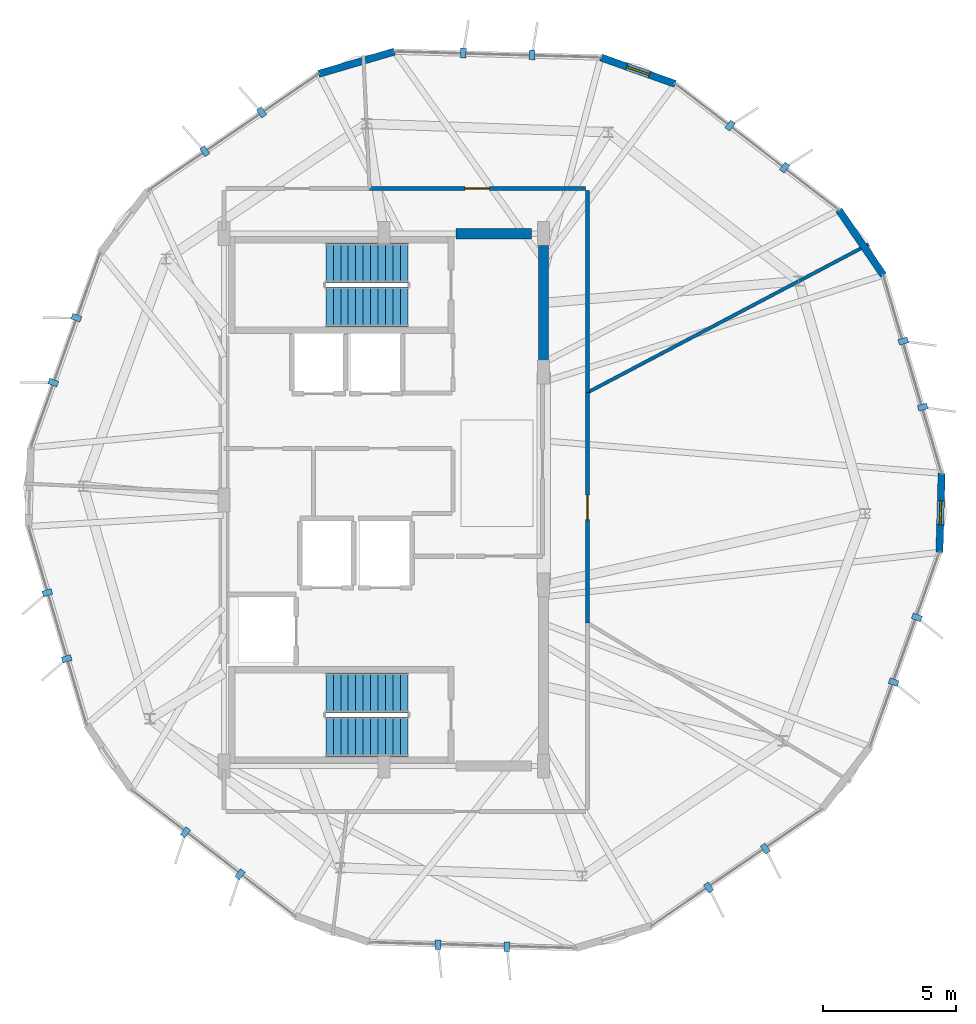
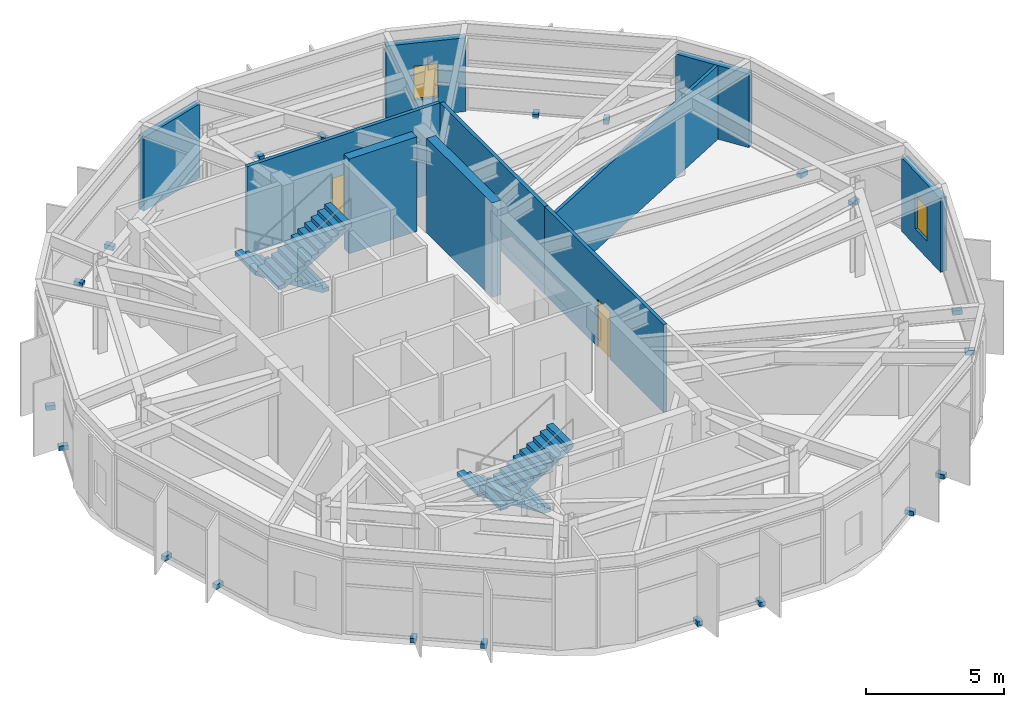
# One storey, part 17 of 20: 20 discrete accessories, 10 walls, 4 stair flights, 2 doors, 2 windows, 4 openings, 2 elements without a shape of their own.
"""IFC4 building model written with IfcOpenShell, lengths in metres."""

from ifc_helpers import new_model, si_unit, direction, frame, frame_2d, origin, origin_2d, place, context, subcontext, project, spatial, polyline, rectangle, outline, extrude, material, layer, layer_set, type_object, element, fill, aggregate, save


model = new_model("IFC4")

# Units and contexts
model_context = context("Model", 3, precision=1e-05, world=origin(), true_north=direction((0.0, 1.0)))
body_context = subcontext(model_context, "Body", "Model", "MODEL_VIEW")
ifc_project = project(units=[si_unit("LENGTHUNIT", "METRE"), si_unit("AREAUNIT", "SQUARE_METRE"), si_unit("VOLUMEUNIT", "CUBIC_METRE"), si_unit("PLANEANGLEUNIT", "RADIAN"), si_unit("MASSUNIT", "GRAM", prefix="KILO")], contexts=[model_context])

# Site, building, storey
site_placement = place(None, origin())
site = spatial("IfcSite", under=ifc_project, at=site_placement, CompositionType="ELEMENT")
building_placement = place(site_placement, origin())
building = spatial("IfcBuilding", under=site, at=building_placement, Name="Soratama Intermodal Tower", CompositionType="ELEMENT")
storey_placement = place(building_placement, frame((0.0, 0.0, 293.050048828125)))
storey = spatial("IfcBuildingStorey", under=building, at=storey_placement, Name="L74", CompositionType="ELEMENT", Elevation=293.050048828125)

# Wall
ifc_material_1 = material(Name="Concrete f'c 42 MPa", Category="concrete")
ifc_layer_1 = layer(ifc_material_1, 0.27001953125)
ifc_layer_set_1 = layer_set([ifc_layer_1], Name="Concrete f'c 42 MPa")
wall_type_1 = type_object("IfcWallType", Name="EW-CRN-270", PredefinedType="SOLIDWALL", material=ifc_layer_set_1)
wall_1_placement = place(storey_placement, frame((38.99560546875, 41.841552734375, 0.0), z_axis=(0.0, 0.0, 1.0), x_axis=(-0.959406115423, -0.282028200168, 0.0)))
element("IfcWall", 1, at=wall_1_placement, inside=storey, type_object=wall_type_1, Name="L74 Corner Closure Wall 01", PredefinedType="SOLIDWALL", context=body_context, shape_type="SweptSolid", body=[
    extrude(rectangle(XDim=2.966552734375, YDim=0.27001953125, at=frame_2d((1.4833984375, 0.0))), origin(), (0.0, 0.0, 1.0), 3.27392578125),
])

# Wall, opening, window
wall_2_placement = place(storey_placement, frame((59.46923828125, 23.033447265625, 0.0), z_axis=(0.0, 0.0, 1.0), x_axis=(0.028228496076, 0.999601496602, 0.0)))
wall_2 = element("IfcWall", 2, at=wall_2_placement, inside=storey, type_object=wall_type_1, Name="L74 Corner Closure Wall 08", PredefinedType="SOLIDWALL", context=body_context, shape_type="SweptSolid", body=[
    extrude(rectangle(XDim=2.966552734375, YDim=0.27001953125, at=frame_2d((1.4833984375, 0.0))), origin(), (0.0, 0.0, 1.0), 3.27392578125),
])
opening_1_placement = place(wall_2_placement, frame((1.033203125, 0.0, 0.75)))
opening_1 = element("IfcOpeningElement", 3, at=opening_1_placement, cuts=wall_2, Name="Opening WN-6", PredefinedType="OPENING", context=body_context, shape_type="SweptSolid", body=[
    extrude(rectangle(XDim=0.89990234375, YDim=1.5, at=frame_2d((0.449951171875, 0.75))), frame((0.0, 0.14501953125, 0.0), z_axis=(0.0, -1.0, 0.0), x_axis=(1.0, 0.0, 0.0)), (0.0, 0.0, 1.0), 0.2900390625),
])
ifc_material_2 = material(Name="Double-glazed aluminium window", Category="aluminium")
window_type = type_object("IfcWindowType", Name="WN-FAC-900", PartitioningType="SINGLE_PANEL", PredefinedType="WINDOW", material=ifc_material_2)
window_1_placement = place(opening_1_placement, origin())
window_1 = element("IfcWindow", 4, at=window_1_placement, inside=storey, type_object=window_type, Name="L74 Corner Window 08", OverallHeight=1.5, OverallWidth=0.89990234375, PartitioningType="SINGLE_PANEL", PredefinedType="WINDOW", context=body_context, shape_type="SweptSolid", body=[
    extrude(rectangle(XDim=0.89990234375, YDim=1.5, at=frame_2d((0.449951171875, 0.75))), frame((0.0, 0.030029296875, 0.0), z_axis=(0.0, -1.0, 0.0), x_axis=(1.0, 0.0, 0.0)), (0.0, 0.0, 1.0), 0.06005859375),
])
fill(opening_1, window_1)

# Wall
wall_3_placement = place(storey_placement, frame((57.365234375, 33.44189453125, 0.0), z_axis=(0.0, 0.0, 1.0), x_axis=(-0.564630810404, 0.82534359387, 0.0)))
element("IfcWall", 5, at=wall_3_placement, inside=storey, type_object=wall_type_1, Name="L74 Corner Closure Wall 09", PredefinedType="SOLIDWALL", context=body_context, shape_type="SweptSolid", body=[
    extrude(rectangle(XDim=2.966552734375, YDim=0.27001953125, at=frame_2d((1.4833984375, 0.0))), origin(), (0.0, 0.0, 1.0), 3.27392578125),
])

# Wall, opening, window
wall_4_placement = place(storey_placement, frame((49.545166015625, 40.626220703125, 0.0), z_axis=(0.0, 0.0, 1.0), x_axis=(-0.941946543117, 0.335762877505, 0.0)))
wall_4 = element("IfcWall", 6, at=wall_4_placement, inside=storey, type_object=wall_type_1, Name="L74 Corner Closure Wall 10", PredefinedType="SOLIDWALL", context=body_context, shape_type="SweptSolid", body=[
    extrude(rectangle(XDim=2.966552734375, YDim=0.27001953125, at=frame_2d((1.4833984375, 0.0))), origin(), (0.0, 0.0, 1.0), 3.27392578125),
])
opening_2_placement = place(wall_4_placement, frame((1.033203125, 0.0, 0.75)))
opening_2 = element("IfcOpeningElement", 7, at=opening_2_placement, cuts=wall_4, Name="Opening WN-6", PredefinedType="OPENING", context=body_context, shape_type="SweptSolid", body=[
    extrude(rectangle(XDim=0.89990234375, YDim=1.5, at=frame_2d((0.449951171875, 0.75))), frame((0.0, 0.14501953125, 0.0), z_axis=(0.0, -1.0, 0.0), x_axis=(1.0, 0.0, 0.0)), (0.0, 0.0, 1.0), 0.2900390625),
])
window_2_placement = place(opening_2_placement, origin())
window_2 = element("IfcWindow", 8, at=window_2_placement, inside=storey, type_object=window_type, Name="L74 Corner Window 10", OverallHeight=1.5, OverallWidth=0.89990234375, PartitioningType="SINGLE_PANEL", PredefinedType="WINDOW", context=body_context, shape_type="SweptSolid", body=[
    extrude(rectangle(XDim=0.89990234375, YDim=1.5, at=frame_2d((0.449951171875, 0.75))), frame((0.0, 0.030029296875, 0.0), z_axis=(0.0, -1.0, 0.0), x_axis=(1.0, 0.0, 0.0)), (0.0, 0.0, 1.0), 0.06005859375),
])
fill(opening_2, window_2)

# Wall, opening, door
ifc_material_3 = material(Name="Fire-rated gypsum stud partition", Category="concrete")
ifc_layer_2 = layer(ifc_material_3, 0.14990234375)
ifc_layer_set_2 = layer_set([ifc_layer_2], Name="Fire-rated gypsum stud partition")
wall_type_2 = type_object("IfcWallType", Name="IW-PART-R150", PredefinedType="PARTITIONING", material=ifc_layer_set_2)
wall_5_placement = place(storey_placement, frame((46.25, 29.034912109375, 0.0), z_axis=(0.0, 0.0, 1.0), x_axis=(0.0, -1.0, 0.0)))
wall_5 = element("IfcWall", 9, at=wall_5_placement, inside=storey, type_object=wall_type_2, Name="L74 Partition W-L74-TP004", PredefinedType="PARTITIONING", context=body_context, shape_type="SweptSolid", body=[
    extrude(rectangle(XDim=8.656005859375, YDim=0.14990234375, at=frame_2d((4.328125, 0.0))), origin(), (0.0, 0.0, 1.0), 3.89501953125),
])
opening_3_placement = place(wall_5_placement, frame((3.85302734375, 0.0, 0.0)))
opening_3 = element("IfcOpeningElement", 10, at=opening_3_placement, cuts=wall_5, Name="Opening ID-6", PredefinedType="OPENING", context=body_context, shape_type="SweptSolid", body=[
    extrude(rectangle(XDim=0.919921875, YDim=2.1201171875, at=frame_2d((0.4599609375, 1.06005859375))), frame((0.0, 0.0849609375, 0.0), z_axis=(0.0, -1.0, 0.0), x_axis=(1.0, 0.0, 0.0)), (0.0, 0.0, 1.0), 0.169921875),
])
ifc_material_4 = material(Name="Solid hardwood acoustic door", Category="wood")
door_type = type_object("IfcDoorType", Name="DR-ROOM-920", OperationType="NOTDEFINED", PredefinedType="DOOR", material=ifc_material_4)
door_1_placement = place(opening_3_placement, origin())
door_1 = element("IfcDoor", 11, at=door_1_placement, inside=storey, type_object=door_type, Name="L74 Door D-L74-TP002", OperationType="SINGLE_SWING_LEFT", OverallHeight=2.1201171875, OverallWidth=0.919921875, PredefinedType="DOOR", context=body_context, shape_type="SweptSolid", body=[
    extrude(rectangle(XDim=0.919921875, YDim=2.1201171875, at=frame_2d((0.4599609375, 1.06005859375))), frame((0.0, 0.02490234375, 0.0), z_axis=(0.0, -1.0, 0.0), x_axis=(1.0, 0.0, 0.0)), (0.0, 0.0, 1.0), 0.050048828125),
])
fill(opening_3, door_1)

wall_6_placement = place(storey_placement, frame((38.06005859375, 36.699951171875, 0.0), z_axis=(0.0, 0.0, 1.0), x_axis=(1.0, 0.0, 0.0)))
wall_6 = element("IfcWall", 12, at=wall_6_placement, inside=storey, type_object=wall_type_2, Name="L74 Partition W-L74-TP005", PredefinedType="PARTITIONING", context=body_context, shape_type="SweptSolid", body=[
    extrude(rectangle(XDim=8.119873046875, YDim=0.14990234375, at=frame_2d((4.06005859375, 0.0))), origin(), (0.0, 0.0, 1.0), 3.89501953125),
])
opening_4_placement = place(wall_6_placement, frame((3.5849609375, 0.0, 0.0)))
opening_4 = element("IfcOpeningElement", 13, at=opening_4_placement, cuts=wall_6, Name="Opening ID-6", PredefinedType="OPENING", context=body_context, shape_type="SweptSolid", body=[
    extrude(rectangle(XDim=0.919921875, YDim=2.1201171875, at=frame_2d((0.4599609375, 1.06005859375))), frame((0.0, 0.0849609375, 0.0), z_axis=(0.0, -1.0, 0.0), x_axis=(1.0, 0.0, 0.0)), (0.0, 0.0, 1.0), 0.169921875),
])
door_2_placement = place(opening_4_placement, origin())
door_2 = element("IfcDoor", 14, at=door_2_placement, inside=storey, type_object=door_type, Name="L74 Door D-L74-TP003", OperationType="SINGLE_SWING_RIGHT", OverallHeight=2.1201171875, OverallWidth=0.919921875, PredefinedType="DOOR", context=body_context, shape_type="SweptSolid", body=[
    extrude(rectangle(XDim=0.919921875, YDim=2.1201171875, at=frame_2d((0.4599609375, 1.06005859375))), frame((0.0, 0.02490234375, 0.0), z_axis=(0.0, -1.0, 0.0), x_axis=(1.0, 0.0, 0.0)), (0.0, 0.0, 1.0), 0.050048828125),
])
fill(opening_4, door_2)

# Walls
wall_7_placement = place(storey_placement, frame((46.25, 36.6298828125, 0.0), z_axis=(0.0, 0.0, 1.0), x_axis=(0.0, -1.0, 0.0)))
element("IfcWall", 15, at=wall_7_placement, inside=storey, type_object=wall_type_2, Name="L74 Partition W-L74-TP006", PredefinedType="PARTITIONING", context=body_context, shape_type="SweptSolid", body=[
    extrude(rectangle(XDim=7.594970703125, YDim=0.14990234375, at=frame_2d((3.79736328125, 0.0))), origin(), (0.0, 0.0, 1.0), 3.89501953125),
])
ifc_material_5 = material(Name="Fire-rated gypsum stud partition", Category="concrete")
ifc_layer_3 = layer(ifc_material_5, 0.1298828125)
ifc_layer_set_3 = layer_set([ifc_layer_3], Name="Fire-rated gypsum stud partition")
wall_type_3 = type_object("IfcWallType", Name="IW-PART-S130", PredefinedType="PARTITIONING", material=ifc_layer_set_3)
wall_8_placement = place(storey_placement, frame((56.81396484375, 34.60498046875, 0.0), z_axis=(0.0, 0.0, 1.0), x_axis=(-0.88456986723, -0.4664077079, 0.0)))
element("IfcWall", 16, at=wall_8_placement, inside=storey, type_object=wall_type_3, Name="L74 Partition W-L74-TP001", PredefinedType="PARTITIONING", context=body_context, shape_type="SweptSolid", body=[
    extrude(rectangle(XDim=11.9423828125, YDim=0.1298828125, at=frame_2d((5.97119140625, 0.0))), origin(), (0.0, 0.0, 1.0), 3.27294921875),
])
ifc_material_6 = material(Name="Concrete f'c 56 MPa", Category="concrete")
ifc_layer_4 = layer(ifc_material_6, 0.3798828125)
ifc_layer_set_4 = layer_set([ifc_layer_4], Name="Concrete f'c 56 MPa")
wall_type_4 = type_object("IfcWallType", Name="SW-CORE-380", PredefinedType="SHEAR", material=ifc_layer_set_4)
wall_9_placement = place(storey_placement, frame((41.300048828125, 35.0, 0.0), z_axis=(0.0, 0.0, 1.0), x_axis=(1.0, 0.0, 0.0)))
element("IfcWall", 17, at=wall_9_placement, inside=storey, type_object=wall_type_4, Name="L74 Core Shear Wall CW-NE", PredefinedType="SHEAR", context=body_context, shape_type="SweptSolid", body=[
    extrude(rectangle(XDim=2.849853515625, YDim=0.3798828125, at=frame_2d((1.4248046875, 0.0))), origin(), (0.0, 0.0, 1.0), 4.199951171875),
])
wall_10_placement = place(storey_placement, frame((44.60009765625, 29.800048828125, 0.0), z_axis=(0.0, 0.0, 1.0), x_axis=(0.0, 1.0, 0.0)))
element("IfcWall", 18, at=wall_10_placement, inside=storey, type_object=wall_type_4, Name="L74 Core Shear Wall CW-EN", PredefinedType="SHEAR", context=body_context, shape_type="SweptSolid", body=[
    extrude(rectangle(XDim=4.75, YDim=0.3798828125, at=frame_2d((2.375, 0.0))), origin(), (0.0, 0.0, 1.0), 4.199951171875),
])

# Stair, stair flights
ifc_material_7 = material(Name="Concrete f'c 42 MPa", Category="concrete")
stair_type = type_object("IfcStairType", Name="ST-CORE-DOGLEG", PredefinedType="HALF_TURN_STAIR", material=ifc_material_7)
stair_1_placement = place(storey_placement, origin())
stair_1 = element("IfcStair", 19, at=stair_1_placement, inside=storey, type_object=stair_type, Name="L74 ST-1", PredefinedType="HALF_TURN_STAIR")
ifc_material_8 = material(Name="Precast concrete f'c 40 MPa", Category="concrete")
ifc_layer_5 = layer(ifc_material_8, 0.199951171875)
ifc_layer_set_5 = layer_set([ifc_layer_5], Name="Precast concrete f'c 40 MPa")
stair_flight_type = type_object("IfcStairFlightType", Name="SF-FLIGHT-RC", PredefinedType="STRAIGHT", material=ifc_layer_set_5)
stair_flight_1_placement = place(storey_placement, frame((39.5, 17.75, 0.0), z_axis=(0.0, 0.0, 1.0), x_axis=(-1.0, 0.0, 0.0)))
stair_flight_1 = element("IfcStairFlight", 20, at=stair_flight_1_placement, type_object=stair_flight_type, Name="ST-1 flight 1", NumberOfRisers=12, NumberOfTreads=11, PredefinedType="STRAIGHT", RiserHeight=0.175, TreadLength=0.28, context=body_context, shape_type="SweptSolid", body=[
    extrude(outline(polyline([(0.0, 0.0), (0.0, 0.175048828125), (0.280029296875, 0.175048828125), (0.280029296875, 0.35009765625), (0.56005859375, 0.35009765625), (0.56005859375, 0.52490234375), (0.840087890625, 0.52490234375), (0.840087890625, 0.699951171875), (1.1201171875, 0.699951171875), (1.1201171875, 0.875), (1.39990234375, 0.875), (1.39990234375, 1.050048828125), (1.679931640625, 1.050048828125), (1.679931640625, 1.22509765625), (1.9599609375, 1.22509765625), (1.9599609375, 1.39990234375), (2.239990234375, 1.39990234375), (2.239990234375, 1.574951171875), (2.52001953125, 1.574951171875), (2.52001953125, 1.75), (2.800048828125, 1.75), (2.800048828125, 1.925048828125), (3.080078125, 1.925048828125), (3.080078125, 2.10009765625), (3.080078125, 1.748291015625), (0.28271484375, 0.0), (0.0, 0.0)])), frame((0.0, 0.75, 0.0), z_axis=(0.0, -1.0, 0.0), x_axis=(1.0, 0.0, 0.0)), (0.0, 0.0, 1.0), 1.5),
])
stair_flight_2_placement = place(storey_placement, frame((36.419921875, 16.10009765625, 2.099853515625), z_axis=(0.0, 0.0, 1.0), x_axis=(1.0, 0.0, 0.0)))
stair_flight_2 = element("IfcStairFlight", 21, at=stair_flight_2_placement, type_object=stair_flight_type, Name="ST-1 flight 2", NumberOfRisers=12, NumberOfTreads=11, PredefinedType="STRAIGHT", RiserHeight=0.175, TreadLength=0.28, context=body_context, shape_type="SweptSolid", body=[
    extrude(outline(polyline([(0.0, 0.0), (0.0, 0.175048828125), (0.280029296875, 0.175048828125), (0.280029296875, 0.35009765625), (0.56005859375, 0.35009765625), (0.56005859375, 0.52490234375), (0.840087890625, 0.52490234375), (0.840087890625, 0.699951171875), (1.1201171875, 0.699951171875), (1.1201171875, 0.875), (1.39990234375, 0.875), (1.39990234375, 1.050048828125), (1.679931640625, 1.050048828125), (1.679931640625, 1.22509765625), (1.9599609375, 1.22509765625), (1.9599609375, 1.39990234375), (2.239990234375, 1.39990234375), (2.239990234375, 1.574951171875), (2.52001953125, 1.574951171875), (2.52001953125, 1.75), (2.800048828125, 1.75), (2.800048828125, 1.925048828125), (3.080078125, 1.925048828125), (3.080078125, 2.10009765625), (3.080078125, 1.748291015625), (0.28271484375, 0.0), (0.0, 0.0)])), frame((0.0, 0.75, 0.0), z_axis=(0.0, -1.0, 0.0), x_axis=(1.0, 0.0, 0.0)), (0.0, 0.0, 1.0), 1.5),
])
aggregate(stair_1, [stair_flight_1, stair_flight_2])

stair_2_placement = place(storey_placement, origin())
stair_2 = element("IfcStair", 22, at=stair_2_placement, inside=storey, type_object=stair_type, Name="L74 ST-2", PredefinedType="HALF_TURN_STAIR")
stair_flight_3_placement = place(storey_placement, frame((39.5, 33.89990234375, 0.0), z_axis=(0.0, 0.0, 1.0), x_axis=(-1.0, 0.0, 0.0)))
stair_flight_3 = element("IfcStairFlight", 23, at=stair_flight_3_placement, type_object=stair_flight_type, Name="ST-2 flight 1", NumberOfRisers=12, NumberOfTreads=11, PredefinedType="STRAIGHT", RiserHeight=0.175, TreadLength=0.28, context=body_context, shape_type="SweptSolid", body=[
    extrude(outline(polyline([(0.0, 0.0), (0.0, 0.175048828125), (0.280029296875, 0.175048828125), (0.280029296875, 0.35009765625), (0.56005859375, 0.35009765625), (0.56005859375, 0.52490234375), (0.840087890625, 0.52490234375), (0.840087890625, 0.699951171875), (1.1201171875, 0.699951171875), (1.1201171875, 0.875), (1.39990234375, 0.875), (1.39990234375, 1.050048828125), (1.679931640625, 1.050048828125), (1.679931640625, 1.22509765625), (1.9599609375, 1.22509765625), (1.9599609375, 1.39990234375), (2.239990234375, 1.39990234375), (2.239990234375, 1.574951171875), (2.52001953125, 1.574951171875), (2.52001953125, 1.75), (2.800048828125, 1.75), (2.800048828125, 1.925048828125), (3.080078125, 1.925048828125), (3.080078125, 2.10009765625), (3.080078125, 1.748291015625), (0.28271484375, 0.0), (0.0, 0.0)])), frame((0.0, 0.75, 0.0), z_axis=(0.0, -1.0, 0.0), x_axis=(1.0, 0.0, 0.0)), (0.0, 0.0, 1.0), 1.5),
])
stair_flight_4_placement = place(storey_placement, frame((36.419921875, 32.25, 2.099853515625), z_axis=(0.0, 0.0, 1.0), x_axis=(1.0, 0.0, 0.0)))
stair_flight_4 = element("IfcStairFlight", 24, at=stair_flight_4_placement, type_object=stair_flight_type, Name="ST-2 flight 2", NumberOfRisers=12, NumberOfTreads=11, PredefinedType="STRAIGHT", RiserHeight=0.175, TreadLength=0.28, context=body_context, shape_type="SweptSolid", body=[
    extrude(outline(polyline([(0.0, 0.0), (0.0, 0.175048828125), (0.280029296875, 0.175048828125), (0.280029296875, 0.35009765625), (0.56005859375, 0.35009765625), (0.56005859375, 0.52490234375), (0.840087890625, 0.52490234375), (0.840087890625, 0.699951171875), (1.1201171875, 0.699951171875), (1.1201171875, 0.875), (1.39990234375, 0.875), (1.39990234375, 1.050048828125), (1.679931640625, 1.050048828125), (1.679931640625, 1.22509765625), (1.9599609375, 1.22509765625), (1.9599609375, 1.39990234375), (2.239990234375, 1.39990234375), (2.239990234375, 1.574951171875), (2.52001953125, 1.574951171875), (2.52001953125, 1.75), (2.800048828125, 1.75), (2.800048828125, 1.925048828125), (3.080078125, 1.925048828125), (3.080078125, 2.10009765625), (3.080078125, 1.748291015625), (0.28271484375, 0.0), (0.0, 0.0)])), frame((0.0, 0.75, 0.0), z_axis=(0.0, -1.0, 0.0), x_axis=(1.0, 0.0, 0.0)), (0.0, 0.0, 1.0), 1.5),
])
aggregate(stair_2, [stair_flight_3, stair_flight_4])

# Discrete accessories
ifc_material_9 = material(Name="Structural steel ASTM A992 Grade 50", Category="steel")
discrete_accessory_type = type_object("IfcDiscreteAccessoryType", Name="AC-FIN-BRACKET", PredefinedType="BRACKET", material=ifc_material_9)
for number, where, z_axis, x_axis, name in (
    (25, (44.166259765625, 41.71533203125, -0.080078125), (0.0, 0.0, 1.0), (0.02827056677, 0.99960030765, 0.0), "L74 Fin Bracket F01-1"),
    (26, (41.581298828125, 41.78857421875, -0.080078125), (0.0, 0.0, 1.0), (0.02827056677, 0.99960030765, 0.0), "L74 Fin Bracket F01-2"),
    (27, (34.00390625, 39.561279296875, -0.080078125), (0.0, 0.0, 1.0), (-0.564678950066, 0.825310658693, 0.0), "L74 Fin Bracket F02-1"),
    (28, (31.86962890625, 38.100830078125, -0.080078125), (0.0, 0.0, 1.0), (-0.564678950066, 0.825310658693, 0.0), "L74 Fin Bracket F02-2"),
    (29, (27.048583984375, 31.84521484375, -0.080078125), (0.0, 0.0, 1.0), (-0.941940300709, 0.335780389393, 0.0), "L74 Fin Bracket F03-1"),
    (30, (26.18017578125, 29.4091796875, -0.080078125), (0.0, 0.0, 1.0), (-0.941940300709, 0.335780389393, 0.0), "L74 Fin Bracket F03-2"),
    (31, (25.95703125, 21.514404296875, -0.080078125), (0.0, 0.0, 1.0), (-0.959412471854, -0.2820065759, 0.0), "L74 Fin Bracket F04-1"),
    (32, (26.686279296875, 19.033447265625, -0.080078125), (0.0, 0.0, 1.0), (-0.959412471854, -0.2820065759, 0.0), "L74 Fin Bracket F04-2"),
    (33, (31.14599609375, 12.51513671875, -0.080078125), (0.0, 0.0, 1.0), (-0.610421687982, -0.79207661425, 0.0), "L74 Fin Bracket F05-1"),
    (34, (33.1943359375, 10.9365234375, -0.080078125), (0.0, 0.0, 1.0), (-0.610421687982, -0.79207661425, 0.0), "L74 Fin Bracket F05-2"),
    (35, (40.6337890625, 8.28466796875, -0.080078125), (0.0, 0.0, 1.0), (-0.02827056677, -0.99960030765, 0.0), "L74 Fin Bracket F06-1"),
    (36, (43.21875, 8.21142578125, -0.080078125), (0.0, 0.0, 1.0), (-0.02827056677, -0.99960030765, 0.0), "L74 Fin Bracket F06-2"),
    (37, (50.796142578125, 10.438720703125, -0.080078125), (0.0, 0.0, 1.0), (0.564678950066, -0.825310658693, 0.0), "L74 Fin Bracket F07-1"),
    (38, (52.930419921875, 11.899169921875, -0.080078125), (0.0, 0.0, 1.0), (0.564678950066, -0.825310658693, 0.0), "L74 Fin Bracket F07-2"),
    (39, (57.75146484375, 18.15478515625, -0.080078125), (0.0, 0.0, 1.0), (0.941940300709, -0.335780389393, 0.0), "L74 Fin Bracket F08-1"),
    (40, (58.619873046875, 20.5908203125, -0.080078125), (0.0, 0.0, 1.0), (0.941940300709, -0.335780389393, 0.0), "L74 Fin Bracket F08-2"),
    (41, (58.843017578125, 28.485595703125, -0.080078125), (0.0, 0.0, 1.0), (0.959412471854, 0.2820065759, 0.0), "L74 Fin Bracket F09-1"),
    (42, (58.11376953125, 30.966552734375, -0.080078125), (0.0, 0.0, 1.0), (0.959412471854, 0.2820065759, 0.0), "L74 Fin Bracket F09-2"),
    (43, (53.654052734375, 37.48486328125, -0.080078125), (0.0, 0.0, 1.0), (0.610421687982, 0.79207661425, 0.0), "L74 Fin Bracket F10-1"),
    (44, (51.605712890625, 39.0634765625, -0.080078125), (0.0, 0.0, 1.0), (0.610421687982, 0.79207661425, 0.0), "L74 Fin Bracket F10-2"),
):
    element("IfcDiscreteAccessory", number, at=place(storey_placement, frame(where, z_axis=z_axis, x_axis=x_axis)), inside=storey, type_object=discrete_accessory_type, Name=name, PredefinedType="BRACKET", context=body_context, shape_type="SweptSolid", body=[
        extrude(rectangle(XDim=0.360107421875, YDim=0.219970703125, at=origin_2d()), origin(), (0.0, 0.0, 1.0), 0.199951171875),
    ])

save(model, "model.ifc")
